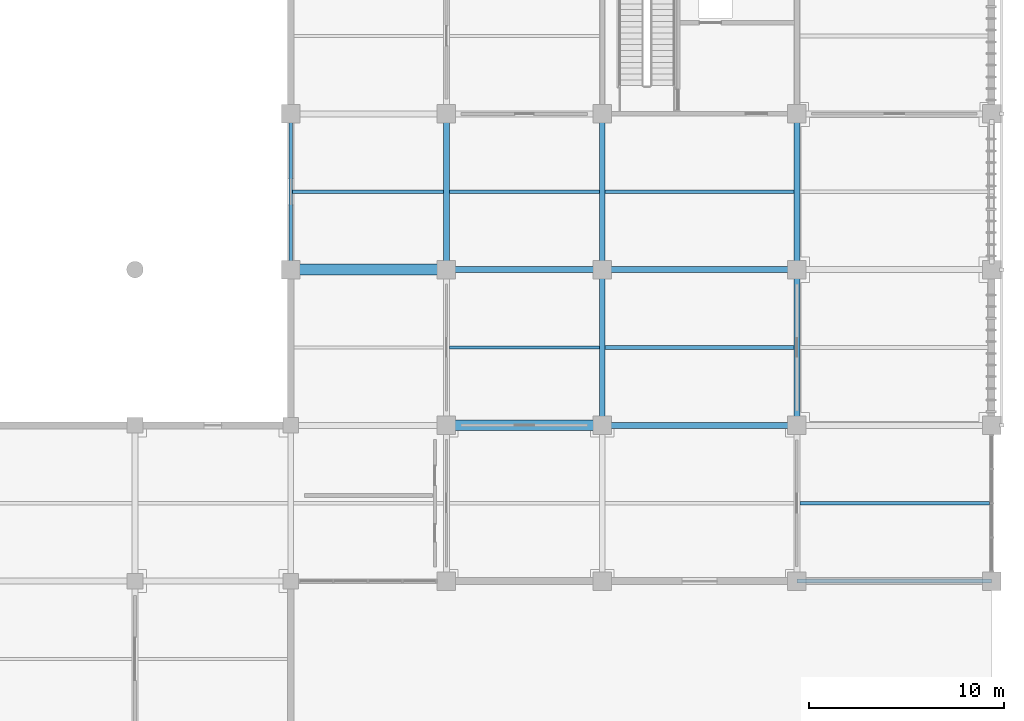
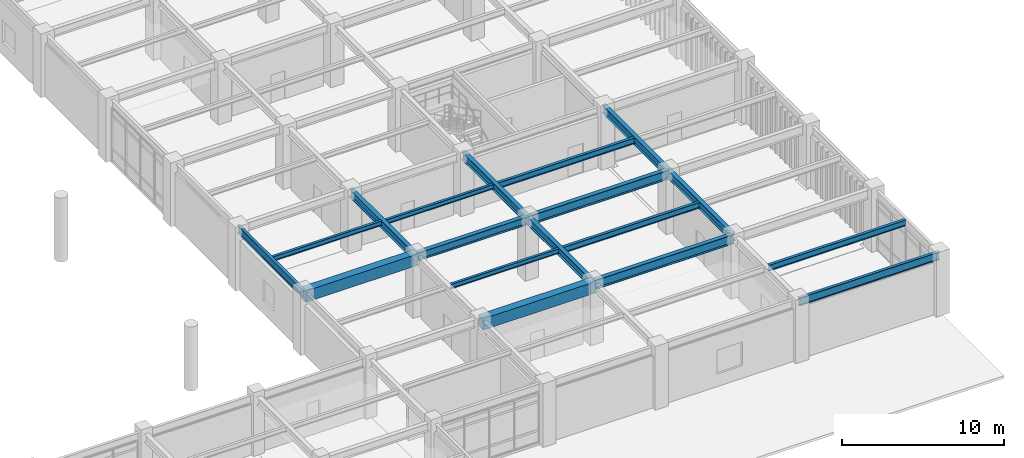
# One storey, part 28 of 109: 18 beams.
"""IFC4 building model written with IfcOpenShell, lengths in metres."""

import ifcopenshell
import ifcopenshell.guid

model = None  # the IFC model being written
_history = None  # IfcOwnerHistory: only IFC2X3 demands one
_inside = {}  # id of a spatial element -> (the spatial element, [elements in it])
_under = {}  # id of a project, library or spatial element -> (it, [spatial elements below it])
_declared = {}  # id of a project -> (the project, [libraries it declares])
_typed = {}  # id of a type object -> (the type object, [elements of that type])
_made_of = {}  # id of a material, layer set ... -> (it, [elements and type objects made of it])


def new_model(schema):
    """Start an empty IFC model of exactly this schema.

    Asked for "IFC4X3", IfcOpenShell would pick the latest addendum, in which some entities
    have other attributes; the version numbers below select the first issue.
    IFC2X3 requires an IfcOwnerHistory on every rooted entity: one is made here for all.
    """
    global model, _history
    if schema == "IFC4X3":
        model = ifcopenshell.file(schema_version=(4, 3, 0, 0))
    else:
        model = ifcopenshell.file(schema=schema)
    _inside.clear()
    _under.clear()
    _declared.clear()
    _typed.clear()
    _made_of.clear()
    _history = None
    if model.schema == "IFC2X3":
        org = make("IfcOrganization", Name="unknown")
        user = make(
            "IfcPersonAndOrganization",
            ThePerson=make("IfcPerson", FamilyName="unknown"),
            TheOrganization=org,
        )
        app = make(
            "IfcApplication",
            ApplicationDeveloper=org,
            Version="unknown",
            ApplicationFullName="unknown",
            ApplicationIdentifier="unknown",
        )
        _history = make(
            "IfcOwnerHistory",
            OwningUser=user,
            OwningApplication=app,
            ChangeAction="ADDED",
            CreationDate=0,
        )
    return model


def make(cls, **values):
    """One entity of the class cls with the attributes given. An attribute that is None is left unset."""
    return model.create_entity(
        cls, **{name: value for name, value in values.items() if value is not None}
    )


def rooted(cls, **values):
    """An entity with a GlobalId (a new one), such as an element, a storey or a relation."""
    return make(cls, GlobalId=ifcopenshell.guid.new(), OwnerHistory=_history, **values)


def si_unit(unit_type, name, prefix=None):
    """IfcSIUnit, for example si_unit("LENGTHUNIT", "METRE", prefix="MILLI")."""
    return make("IfcSIUnit", UnitType=unit_type, Prefix=prefix, Name=name)


def assignment(units):
    """IfcUnitAssignment: the units of a project."""
    return None if units is None else make("IfcUnitAssignment", Units=units)


def point(xyz):
    """IfcCartesianPoint."""
    return None if xyz is None else make("IfcCartesianPoint", Coordinates=xyz)


def direction(xyz):
    """IfcDirection."""
    return None if xyz is None else make("IfcDirection", DirectionRatios=xyz)


def frame(location, z_axis=None, x_axis=None):
    """IfcAxis2Placement3D, a coordinate frame: its origin and axes. An axis left out is left unset."""
    return make(
        "IfcAxis2Placement3D",
        Location=point(location),
        Axis=direction(z_axis),
        RefDirection=direction(x_axis),
    )


def frame_2d(location, x_axis=None):
    """IfcAxis2Placement2D, a coordinate frame in the plane: its origin and x axis."""
    return make(
        "IfcAxis2Placement2D", Location=point(location), RefDirection=direction(x_axis)
    )


def origin():
    """The frame at (0, 0, 0) with its axes left unset."""
    return frame((0.0, 0.0, 0.0))


def origin_2d():
    """The frame at (0, 0) in the plane with its x axis left unset."""
    return frame_2d((0.0, 0.0))


def place(relative_to, where):
    """IfcLocalPlacement: puts the frame where relative to a parent placement (None: the world)."""
    return make(
        "IfcLocalPlacement", PlacementRelTo=relative_to, RelativePlacement=where
    )


def context(
    kind, dimensions, precision=None, world=None, true_north=None, identifier=None
):
    """IfcGeometricRepresentationContext, for example the 3D "Model" context."""
    return make(
        "IfcGeometricRepresentationContext",
        ContextIdentifier=identifier,
        ContextType=kind,
        CoordinateSpaceDimension=dimensions,
        Precision=precision,
        WorldCoordinateSystem=world,
        TrueNorth=true_north,
    )


def subcontext(parent, identifier, kind, view, scale=None):
    """IfcGeometricRepresentationSubContext, for example "Body" below "Model"."""
    return make(
        "IfcGeometricRepresentationSubContext",
        ContextIdentifier=identifier,
        ContextType=kind,
        ParentContext=parent,
        TargetScale=scale,
        TargetView=view,
    )


def project(units=None, contexts=None):
    """IfcProject with its units and contexts."""
    return rooted(
        "IfcProject",
        Name="project",
        RepresentationContexts=contexts,
        UnitsInContext=assignment(units),
    )


def spatial(cls, under=None, at=None, **own):
    """A site, building, storey or space (cls), placed at a placement, below another one or the project."""
    s = rooted(cls, ObjectPlacement=at, **own)
    if under is not None:
        _under.setdefault(under.id(), (under, []))[1].append(s)
    return s


def profile(cls, at=None, kind="AREA", **sizes):
    """A parametric profile (cls). Its sizes go by their IFC names, for example OverallWidth=200.0."""
    return make(cls, ProfileType=kind, Position=at, **sizes)


def rectangle(**sizes):
    """IfcRectangleProfileDef."""
    return profile("IfcRectangleProfileDef", **sizes)


def i_section(**sizes):
    """IfcIShapeProfileDef."""
    return profile("IfcIShapeProfileDef", **sizes)


def extrude(swept, where, along, depth):
    """IfcExtrudedAreaSolid: the profile swept, set in the frame where, extruded along a direction by depth."""
    return make(
        "IfcExtrudedAreaSolid",
        SweptArea=swept,
        Position=where,
        ExtrudedDirection=direction(along),
        Depth=depth,
    )


def shape(context_of_items, identifier, shape_type, items):
    """IfcShapeRepresentation: the items that make up one representation, for example the "Body"."""
    return make(
        "IfcShapeRepresentation",
        ContextOfItems=context_of_items,
        RepresentationIdentifier=identifier,
        RepresentationType=shape_type,
        Items=items,
    )


def material(Name=None, Category=None):
    """IfcMaterial."""
    return make("IfcMaterial", Name=Name, Category=Category)


def material_profile(
    of_material, cross_section, Name=None, Category=None, Priority=None
):
    """IfcMaterialProfile: a cross section and its material."""
    return make(
        "IfcMaterialProfile",
        Name=Name,
        Material=of_material,
        Profile=cross_section,
        Priority=Priority,
        Category=Category,
    )


def profile_set(profiles, Name=None, composite=None):
    """IfcMaterialProfileSet."""
    return make(
        "IfcMaterialProfileSet",
        Name=Name,
        MaterialProfiles=profiles,
        CompositeProfile=composite,
    )


def made_of(thing, what):
    """Note that an element or type object is made of a material, layer set ...; save() writes the relation."""
    if what is not None:
        _made_of.setdefault(what.id(), (what, []))[1].append(thing)
    return thing


def type_object(cls, material=None, **own):
    """A type object (cls), such as IfcWallType, which elements share."""
    return made_of(rooted(cls, **own), material)


def element(
    cls,
    number,
    at=None,
    inside=None,
    cuts=None,
    type_object=None,
    material=None,
    context=None,
    identifier="Body",
    shape_type=None,
    held_by="IfcProductDefinitionShape",
    body=None,
    shapes=None,
    **own,
):
    """One element of the class cls, such as IfcWall. Its Tag is "e" and its number.

    at: its placement. inside: the storey or other place that contains it. cuts: it is an
    opening in that element (IfcRelVoidsElement). A single representation is given by context,
    identifier, shape_type and body (its items); several are given by shapes. held_by: the class
    of the entity that holds the representations. save() writes the other relations.
    """
    e = rooted(cls, Tag="e%d" % number, ObjectPlacement=at, **own)
    if body is not None:
        shapes = [shape(context, identifier, shape_type, body)]
    if shapes is not None:
        e.Representation = make(held_by, Representations=shapes)
    if inside is not None:
        _inside.setdefault(inside.id(), (inside, []))[1].append(e)
    if cuts is not None:
        rooted(
            "IfcRelVoidsElement", RelatingBuildingElement=cuts, RelatedOpeningElement=e
        )
    if type_object is not None:
        _typed.setdefault(type_object.id(), (type_object, []))[1].append(e)
    return made_of(e, material)


def aggregate(whole, parts):
    """IfcRelAggregates: a whole, such as a stair, and the parts it consists of."""
    return rooted("IfcRelAggregates", RelatingObject=whole, RelatedObjects=parts)


def save(model, path):
    """Write the relations noted so far, then the file.

    IfcRelAggregates (storeys below a building ...), IfcRelContainedInSpatialStructure (elements
    in a storey), IfcRelDefinesByType, IfcRelAssociatesMaterial and IfcRelDeclares: one each for
    every whole, place, type object, material and project.
    """
    for whole, parts in _under.values():
        aggregate(whole, parts)
    for where, things in _inside.values():
        rooted(
            "IfcRelContainedInSpatialStructure",
            RelatedElements=things,
            RelatingStructure=where,
        )
    for kind, things in _typed.values():
        rooted("IfcRelDefinesByType", RelatedObjects=things, RelatingType=kind)
    for what, things in _made_of.values():
        rooted("IfcRelAssociatesMaterial", RelatedObjects=things, RelatingMaterial=what)
    for by, libraries in _declared.values():
        rooted("IfcRelDeclares", RelatingContext=by, RelatedDefinitions=libraries)
    model.write(path)


model = new_model("IFC4")

# Units and contexts
model_context = context("Model", 3, precision=1e-05, world=origin(), true_north=direction((0.0, 1.0)))
body_context = subcontext(model_context, "Body", "Model", "MODEL_VIEW")
ifc_project = project(units=[si_unit("LENGTHUNIT", "METRE"), si_unit("AREAUNIT", "SQUARE_METRE"), si_unit("VOLUMEUNIT", "CUBIC_METRE"), si_unit("PLANEANGLEUNIT", "RADIAN"), si_unit("MASSUNIT", "GRAM", prefix="KILO")], contexts=[model_context])

# Site, building, storey
site_placement = place(None, origin())
site = spatial("IfcSite", under=ifc_project, at=site_placement, CompositionType="ELEMENT")
building_placement = place(site_placement, origin())
building = spatial("IfcBuilding", under=site, at=building_placement, Name="Haebicheon Civic Stadium", CompositionType="ELEMENT")
storey_placement = place(building_placement, frame((0.0, 0.0, 9.60009765625)))
storey = spatial("IfcBuildingStorey", under=building, at=storey_placement, Name="L03", CompositionType="ELEMENT", Elevation=9.60009765625)

# Beams
ifc_material_1 = material(Name="Concrete C40/50", Category="concrete")
ifc_material_profile_1 = material_profile(ifc_material_1, rectangle(XDim=0.550048828125, YDim=0.85009765625, at=origin_2d()), Name="RC-BM-550x850")
ifc_profile_set_1 = profile_set([ifc_material_profile_1], Name="Concrete C40/50")
beam_type_1 = type_object("IfcBeamType", Name="BM-RC-550x850", PredefinedType="BEAM", material=ifc_profile_set_1)
for number, where, z_axis, x_axis, name in (
    (1, (200.0, 56.0, 4.15478515625), (1.0, 0.0, 0.0), (0.0, 1.0, 0.0), "L03 beam H/26-27"),
    (2, (208.0, 48.0, 4.114990234375), (1.0, 0.0, 0.0), (0.0, 1.0, 0.0), "L03 beam G/27-28"),
):
    element("IfcBeam", number, at=place(storey_placement, frame(where, z_axis=z_axis, x_axis=x_axis)), inside=storey, type_object=beam_type_1, material=ifc_profile_set_1, Name=name, PredefinedType="BEAM", context=body_context, shape_type="SweptSolid", body=[
        extrude(rectangle(XDim=0.550048828125, YDim=0.85009765625, at=origin_2d()), origin(), (0.0, 0.0, 1.0), 8.0),
    ])
ifc_material_2 = material(Name="Steel SM355 (S355)", Category="steel")
ifc_material_profile_2 = material_profile(ifc_material_2, i_section(OverallWidth=0.300048828125, OverallDepth=0.60009765625, WebThickness=0.011962890625, FlangeThickness=0.02001953125, at=origin_2d()), Name="H-600x300x12x20")
ifc_profile_set_2 = profile_set([ifc_material_profile_2], Name="Steel SM355 (S355)")
beam_type_2 = type_object("IfcBeamType", Name="BM-ST-H600A", PredefinedType="BEAM", material=ifc_profile_set_2)
for number, where, z_axis, x_axis, name in (
    (3, (208.0, 56.0, 4.239990234375), (0.0, 1.0, 0.0), (-1.0, 0.0, 0.0), "L03 girder 27/H-J"),
    (4, (216.0, 48.0, 4.239990234375), (0.0, 1.0, 0.0), (-1.0, 0.0, 0.0), "L03 girder 28/G-H"),
    (5, (216.0, 56.0, 4.239990234375), (0.0, 1.0, 0.0), (-1.0, 0.0, 0.0), "L03 girder 28/H-J"),
    (6, (226.0, 48.0, 4.239990234375), (0.0, 1.0, 0.0), (-1.0, 0.0, 0.0), "L03 girder 29/G-H"),
    (7, (226.0, 56.0, 4.239990234375), (0.0, 1.0, 0.0), (-1.0, 0.0, 0.0), "L03 girder 29/H-J"),
    (8, (208.0, 56.0, 4.239990234375), (1.0, 0.0, 0.0), (0.0, 1.0, 0.0), "L03 beam H/27-28"),
):
    element("IfcBeam", number, at=place(storey_placement, frame(where, z_axis=z_axis, x_axis=x_axis)), inside=storey, type_object=beam_type_2, material=ifc_profile_set_2, Name=name, PredefinedType="BEAM", context=body_context, shape_type="SweptSolid", body=[
        extrude(i_section(OverallWidth=0.300048828125, OverallDepth=0.60009765625, WebThickness=0.011962890625, FlangeThickness=0.02001953125, at=origin_2d()), origin(), (0.0, 0.0, 1.0), 8.0),
    ])
ifc_material_3 = material(Name="Steel SM490", Category="steel")
ifc_material_profile_3 = material_profile(ifc_material_3, i_section(OverallWidth=0.300048828125, OverallDepth=0.699951171875, WebThickness=0.012939453125, FlangeThickness=0.02392578125, at=origin_2d()), Name="H-700x300x13x24")
ifc_profile_set_3 = profile_set([ifc_material_profile_3], Name="Steel SM490")
beam_type_3 = type_object("IfcBeamType", Name="BM-ST-H700", PredefinedType="BEAM", material=ifc_profile_set_3)
for number, where, z_axis, x_axis, name in (
    (9, (216.0, 48.0, 4.18994140625), (1.0, 0.0, 0.0), (0.0, 1.0, 0.0), "L03 beam G/28-29"),
    (10, (216.0, 56.0, 4.18994140625), (1.0, 0.0, 0.0), (0.0, 1.0, 0.0), "L03 beam H/28-29"),
):
    element("IfcBeam", number, at=place(storey_placement, frame(where, z_axis=z_axis, x_axis=x_axis)), inside=storey, type_object=beam_type_3, material=ifc_profile_set_3, Name=name, PredefinedType="BEAM", context=body_context, shape_type="SweptSolid", body=[
        extrude(i_section(OverallWidth=0.300048828125, OverallDepth=0.699951171875, WebThickness=0.012939453125, FlangeThickness=0.02392578125, at=origin_2d()), origin(), (0.0, 0.0, 1.0), 10.0),
    ])
ifc_material_4 = material(Name="Steel SM355 (S355)", Category="steel")
ifc_material_profile_4 = material_profile(ifc_material_4, i_section(OverallWidth=0.175048828125, OverallDepth=0.35009765625, WebThickness=0.007080078125, FlangeThickness=0.010986328125, at=origin_2d()), Name="H-350x175x7x11")
ifc_profile_set_4 = profile_set([ifc_material_profile_4], Name="Steel SM355 (S355)")
beam_type_4 = type_object("IfcBeamType", Name="JST-ST-H350", PredefinedType="JOIST", material=ifc_profile_set_4)
beam_1_placement = place(storey_placement, frame((200.10009765625, 60.0, 4.40478515625), z_axis=(1.0, 0.0, 0.0), x_axis=(0.0, 1.0, 0.0)))
element("IfcBeam", 11, at=beam_1_placement, inside=storey, type_object=beam_type_4, material=ifc_profile_set_4, Name="L03 secondary joist 25-07", PredefinedType="JOIST", context=body_context, shape_type="SweptSolid", body=[
    extrude(i_section(OverallWidth=0.175048828125, OverallDepth=0.35009765625, WebThickness=0.007080078125, FlangeThickness=0.010986328125, at=origin_2d()), origin(), (0.0, 0.0, 1.0), 7.75),
])
for number, where, z_axis, x_axis, name in (
    (12, (208.14990234375, 52.0, 4.364990234375), (1.0, 0.0, 0.0), (0.0, 1.0, 0.0), "L03 secondary joist 26-06"),
    (13, (208.14990234375, 60.0, 4.364990234375), (1.0, 0.0, 0.0), (0.0, 1.0, 0.0), "L03 secondary joist 26-07"),
):
    element("IfcBeam", number, at=place(storey_placement, frame(where, z_axis=z_axis, x_axis=x_axis)), inside=storey, type_object=beam_type_4, material=ifc_profile_set_4, Name=name, PredefinedType="JOIST", context=body_context, shape_type="SweptSolid", body=[
        extrude(i_section(OverallWidth=0.175048828125, OverallDepth=0.35009765625, WebThickness=0.007080078125, FlangeThickness=0.010986328125, at=origin_2d()), origin(), (0.0, 0.0, 1.0), 7.7001953125),
    ])
ifc_material_5 = material(Name="Steel SM355 (S355)", Category="steel")
ifc_material_profile_5 = material_profile(ifc_material_5, i_section(OverallWidth=0.199951171875, OverallDepth=0.449951171875, WebThickness=0.009033203125, FlangeThickness=0.013916015625, at=origin_2d()), Name="H-450x200x9x14")
ifc_profile_set_5 = profile_set([ifc_material_profile_5], Name="Steel SM355 (S355)")
beam_type_5 = type_object("IfcBeamType", Name="JST-ST-H450", PredefinedType="JOIST", material=ifc_profile_set_5)
for number, where, z_axis, x_axis, name in (
    (14, (216.14990234375, 52.0, 4.31494140625), (1.0, 0.0, 0.0), (0.0, 1.0, 0.0), "L03 secondary joist 27-06"),
    (15, (216.14990234375, 60.0, 4.31494140625), (1.0, 0.0, 0.0), (0.0, 1.0, 0.0), "L03 secondary joist 27-07"),
):
    element("IfcBeam", number, at=place(storey_placement, frame(where, z_axis=z_axis, x_axis=x_axis)), inside=storey, type_object=beam_type_5, material=ifc_profile_set_5, Name=name, PredefinedType="JOIST", context=body_context, shape_type="SweptSolid", body=[
        extrude(i_section(OverallWidth=0.199951171875, OverallDepth=0.449951171875, WebThickness=0.009033203125, FlangeThickness=0.013916015625, at=origin_2d()), origin(), (0.0, 0.0, 1.0), 9.7001953125),
    ])
beam_2_placement = place(storey_placement, frame((226.14990234375, 44.0, 4.31494140625), z_axis=(1.0, 0.0, 0.0), x_axis=(0.0, 1.0, 0.0)))
element("IfcBeam", 16, at=beam_2_placement, inside=storey, type_object=beam_type_5, material=ifc_profile_set_5, Name="L03 secondary joist 28-05", PredefinedType="JOIST", context=body_context, shape_type="SweptSolid", body=[
    extrude(i_section(OverallWidth=0.199951171875, OverallDepth=0.449951171875, WebThickness=0.009033203125, FlangeThickness=0.013916015625, at=origin_2d()), origin(), (0.0, 0.0, 1.0), 9.75),
])
ifc_material_6 = material(Name="Steel SM355 (S355)", Category="steel")
ifc_material_profile_6 = material_profile(ifc_material_6, i_section(OverallWidth=0.199951171875, OverallDepth=0.60009765625, WebThickness=0.010986328125, FlangeThickness=0.01708984375, at=origin_2d()), Name="H-600x200x11x17")
ifc_profile_set_6 = profile_set([ifc_material_profile_6], Name="Steel SM355 (S355)")
beam_type_6 = type_object("IfcBeamType", Name="SPD-ST-H600B", PredefinedType="SPANDREL", material=ifc_profile_set_6)
beam_3_placement = place(storey_placement, frame((200.0, 56.0, 4.27978515625), z_axis=(0.0, 1.0, 0.0), x_axis=(-1.0, 0.0, 0.0)))
element("IfcBeam", 17, at=beam_3_placement, inside=storey, type_object=beam_type_6, material=ifc_profile_set_6, Name="L03 girder 26/H-J", PredefinedType="SPANDREL", context=body_context, shape_type="SweptSolid", body=[
    extrude(i_section(OverallWidth=0.199951171875, OverallDepth=0.60009765625, WebThickness=0.010986328125, FlangeThickness=0.01708984375, at=origin_2d()), origin(), (0.0, 0.0, 1.0), 8.0),
])
beam_4_placement = place(storey_placement, frame((226.0, 40.0, 4.239990234375), z_axis=(1.0, 0.0, 0.0), x_axis=(0.0, 1.0, 0.0)))
element("IfcBeam", 18, at=beam_4_placement, inside=storey, type_object=beam_type_6, material=ifc_profile_set_6, Name="L03 beam F/29-30", PredefinedType="SPANDREL", context=body_context, shape_type="SweptSolid", body=[
    extrude(i_section(OverallWidth=0.199951171875, OverallDepth=0.60009765625, WebThickness=0.010986328125, FlangeThickness=0.01708984375, at=origin_2d()), origin(), (0.0, 0.0, 1.0), 10.0),
])

save(model, "model.ifc")
